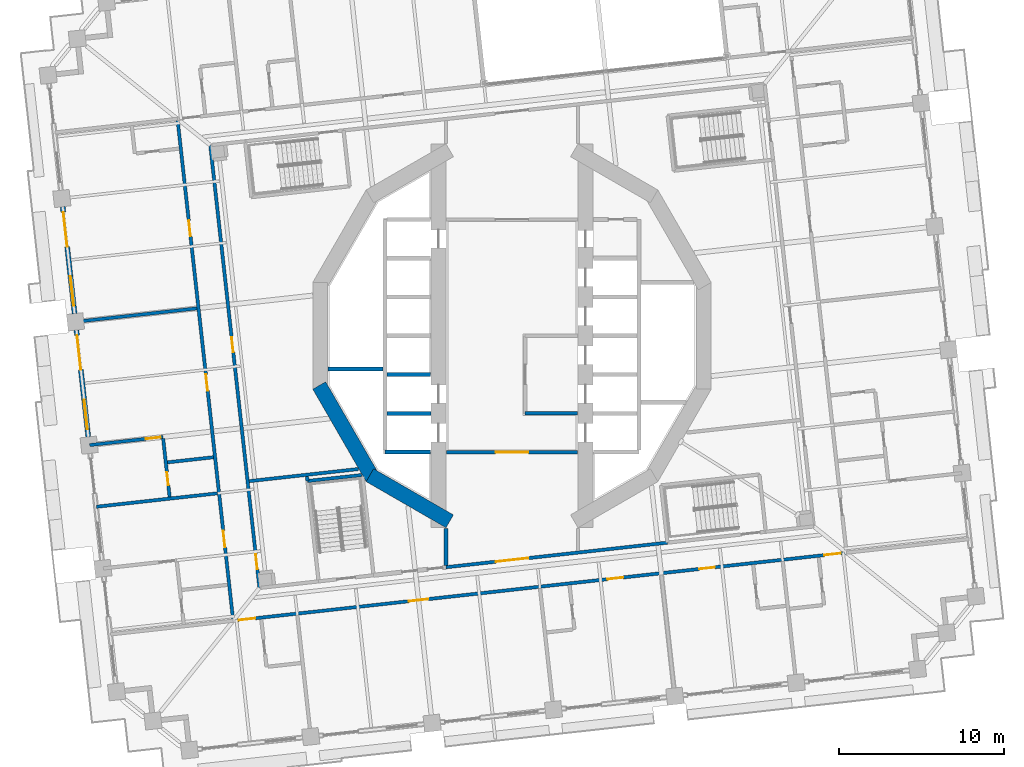
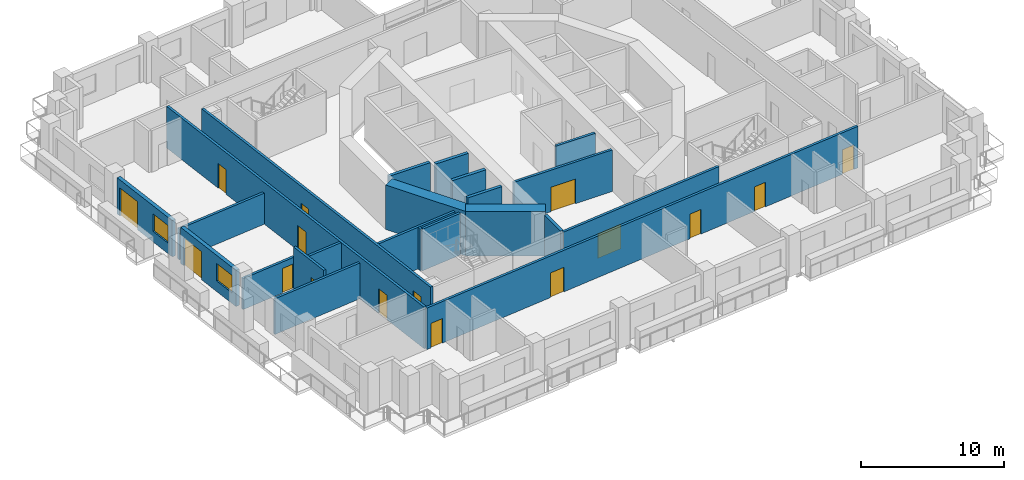
# One storey, part 8 of 20: 23 walls, 16 doors, 2 windows, 18 openings.
"""IFC4 building model written with IfcOpenShell, lengths in metres."""

from ifc_helpers import new_model, si_unit, direction, frame, frame_2d, origin, place, context, subcontext, project, spatial, rectangle, extrude, material, layer, layer_set, type_object, element, fill, save


model = new_model("IFC4")

# Units and contexts
model_context = context("Model", 3, precision=1e-05, world=origin(), true_north=direction((0.0, 1.0)))
body_context = subcontext(model_context, "Body", "Model", "MODEL_VIEW")
ifc_project = project(units=[si_unit("LENGTHUNIT", "METRE"), si_unit("AREAUNIT", "SQUARE_METRE"), si_unit("VOLUMEUNIT", "CUBIC_METRE"), si_unit("PLANEANGLEUNIT", "RADIAN"), si_unit("MASSUNIT", "GRAM", prefix="KILO")], contexts=[model_context])

# Site, building, storey
site_placement = place(None, origin())
site = spatial("IfcSite", under=ifc_project, at=site_placement, CompositionType="ELEMENT")
building_placement = place(site_placement, origin())
building = spatial("IfcBuilding", under=site, at=building_placement, Name="Cantera Rosa Tower", CompositionType="ELEMENT")
storey_placement = place(building_placement, frame((0.0, 0.0, 50.10009765625)))
storey = spatial("IfcBuildingStorey", under=building, at=storey_placement, Name="L09", CompositionType="ELEMENT", Elevation=50.10009765625)

# Wall, openings, doors
ifc_material_1 = material(Name="Gypsum board partition")
ifc_layer_1 = layer(ifc_material_1, 0.199951171875)
ifc_layer_set_1 = layer_set([ifc_layer_1], Name="CORRIDOR WALL 200 H3550")
wall_type_1 = type_object("IfcWallType", Name="CORRIDOR WALL 200 H3550", PredefinedType="PARTITIONING", material=ifc_layer_set_1)
wall_1_placement = place(storey_placement, frame((-20.2626953125, 13.04443359375, 0.0), z_axis=(0.0, 0.0, 1.0), x_axis=(0.110312530755, -0.993896949164, 0.0)))
wall_1 = element("IfcWall", 1, at=wall_1_placement, inside=storey, type_object=wall_type_1, Name="CORRIDOR WALL L09-009", PredefinedType="PARTITIONING", context=body_context, shape_type="SweptSolid", body=[
    extrude(rectangle(XDim=30.400146484375, YDim=0.199951171875, at=frame_2d((15.2001953125, 0.0))), origin(), (0.0, 0.0, 1.0), 3.5498046875),
])
opening_1_placement = place(wall_1_placement, frame((25.010009765625, 0.0, 0.0)))
opening_1 = element("IfcOpeningElement", 2, at=opening_1_placement, cuts=wall_1, Name="Opening L09-032", PredefinedType="OPENING", context=body_context, shape_type="SweptSolid", body=[
    extrude(rectangle(XDim=1.0, YDim=2.10009765625, at=frame_2d((0.5, 1.050048828125))), frame((0.0, 0.10986328125, 0.0), z_axis=(0.0, -1.0, 0.0), x_axis=(1.0, 0.0, 0.0)), (0.0, 0.0, 1.0), 0.219970703125),
])
opening_2_placement = place(wall_1_placement, frame((6.094970703125, 0.0, 0.0)))
opening_2 = element("IfcOpeningElement", 3, at=opening_2_placement, cuts=wall_1, Name="Opening L09-035", PredefinedType="OPENING", context=body_context, shape_type="SweptSolid", body=[
    extrude(rectangle(XDim=0.949951171875, YDim=2.10009765625, at=frame_2d((0.47509765625, 1.050048828125))), frame((0.0, 0.10986328125, 0.0), z_axis=(0.0, -1.0, 0.0), x_axis=(1.0, 0.0, 0.0)), (0.0, 0.0, 1.0), 0.219970703125),
])
opening_3_placement = place(wall_1_placement, frame((15.47998046875, 0.0, 0.0)))
opening_3 = element("IfcOpeningElement", 4, at=opening_3_placement, cuts=wall_1, Name="Opening L09-037", PredefinedType="OPENING", context=body_context, shape_type="SweptSolid", body=[
    extrude(rectangle(XDim=1.0, YDim=2.10009765625, at=frame_2d((0.5, 1.050048828125))), frame((0.0, 0.10986328125, 0.0), z_axis=(0.0, -1.0, 0.0), x_axis=(1.0, 0.0, 0.0)), (0.0, 0.0, 1.0), 0.219970703125),
])
ifc_material_2 = material(Name="Timber door leaf", Category="wood")
door_type_1 = type_object("IfcDoorType", Name="ENTRANCE DOOR 1000x2100", OperationType="NOTDEFINED", PredefinedType="DOOR", material=ifc_material_2)
door_1_placement = place(opening_1_placement, origin())
door_1 = element("IfcDoor", 5, at=door_1_placement, inside=storey, type_object=door_type_1, Name="DOOR L09-032", OperationType="NOTDEFINED", OverallHeight=2.10009765625, OverallWidth=1.0, PredefinedType="DOOR", context=body_context, shape_type="SweptSolid", body=[
    extrude(rectangle(XDim=1.0, YDim=2.10009765625, at=frame_2d((0.5, 1.050048828125))), frame((0.0, 0.02490234375, 0.0), z_axis=(0.0, -1.0, 0.0), x_axis=(1.0, 0.0, 0.0)), (0.0, 0.0, 1.0), 0.050048828125),
])
fill(opening_1, door_1)
door_2_placement = place(opening_3_placement, origin())
door_2 = element("IfcDoor", 6, at=door_2_placement, inside=storey, type_object=door_type_1, Name="DOOR L09-037", OperationType="NOTDEFINED", OverallHeight=2.10009765625, OverallWidth=1.0, PredefinedType="DOOR", context=body_context, shape_type="SweptSolid", body=[
    extrude(rectangle(XDim=1.0, YDim=2.10009765625, at=frame_2d((0.5, 1.050048828125))), frame((0.0, 0.02490234375, 0.0), z_axis=(0.0, -1.0, 0.0), x_axis=(1.0, 0.0, 0.0)), (0.0, 0.0, 1.0), 0.050048828125),
])
fill(opening_3, door_2)
ifc_material_3 = material(Name="Timber door leaf", Category="wood")
door_type_2 = type_object("IfcDoorType", Name="ROOM DOOR 950x2100", OperationType="NOTDEFINED", PredefinedType="DOOR", material=ifc_material_3)
door_3_placement = place(opening_2_placement, origin())
door_3 = element("IfcDoor", 7, at=door_3_placement, inside=storey, type_object=door_type_2, Name="DOOR L09-035", OperationType="NOTDEFINED", OverallHeight=2.10009765625, OverallWidth=0.949951171875, PredefinedType="DOOR", context=body_context, shape_type="SweptSolid", body=[
    extrude(rectangle(XDim=0.949951171875, YDim=2.10009765625, at=frame_2d((0.47509765625, 1.050048828125))), frame((0.0, 0.02490234375, 0.0), z_axis=(0.0, -1.0, 0.0), x_axis=(1.0, 0.0, 0.0)), (0.0, 0.0, 1.0), 0.050048828125),
])
fill(opening_2, door_3)

wall_2_placement = place(storey_placement, frame((-18.2861328125, 11.55322265625, 0.0), z_axis=(0.0, 0.0, 1.0), x_axis=(0.110315409641, -0.993896629633, 0.0)))
wall_2 = element("IfcWall", 8, at=wall_2_placement, inside=storey, type_object=wall_type_1, Name="CORRIDOR WALL L09-015", PredefinedType="PARTITIONING", context=body_context, shape_type="SweptSolid", body=[
    extrude(rectangle(XDim=27.0, YDim=0.199951171875, at=frame_2d((13.5, 0.0))), origin(), (0.0, 0.0, 1.0), 3.5498046875),
])
opening_4_placement = place(wall_2_placement, frame((11.719970703125, 0.0, 0.0)))
opening_4 = element("IfcOpeningElement", 9, at=opening_4_placement, cuts=wall_2, Name="Opening L09-006", PredefinedType="OPENING", context=body_context, shape_type="SweptSolid", body=[
    extrude(rectangle(XDim=0.89990234375, YDim=2.10009765625, at=frame_2d((0.449951171875, 1.050048828125))), frame((0.0, 0.10986328125, 0.0), z_axis=(0.0, -1.0, 0.0), x_axis=(1.0, 0.0, 0.0)), (0.0, 0.0, 1.0), 0.219970703125),
])
opening_5_placement = place(wall_2_placement, frame((24.949951171875, 0.0, 0.0)))
opening_5 = element("IfcOpeningElement", 10, at=opening_5_placement, cuts=wall_2, Name="Opening L09-007", PredefinedType="OPENING", context=body_context, shape_type="SweptSolid", body=[
    extrude(rectangle(XDim=0.89990234375, YDim=2.10009765625, at=frame_2d((0.449951171875, 1.050048828125))), frame((0.0, 0.10986328125, 0.0), z_axis=(0.0, -1.0, 0.0), x_axis=(1.0, 0.0, 0.0)), (0.0, 0.0, 1.0), 0.219970703125),
])
ifc_material_4 = material(Name="Timber door leaf", Category="wood")
door_type_3 = type_object("IfcDoorType", Name="SERVICE DOOR 900x2100", OperationType="NOTDEFINED", PredefinedType="DOOR", material=ifc_material_4)
door_4_placement = place(opening_4_placement, origin())
door_4 = element("IfcDoor", 11, at=door_4_placement, inside=storey, type_object=door_type_3, Name="DOOR L09-006", OperationType="NOTDEFINED", OverallHeight=2.10009765625, OverallWidth=0.89990234375, PredefinedType="DOOR", context=body_context, shape_type="SweptSolid", body=[
    extrude(rectangle(XDim=0.89990234375, YDim=2.10009765625, at=frame_2d((0.449951171875, 1.050048828125))), frame((0.0, 0.02490234375, 0.0), z_axis=(0.0, -1.0, 0.0), x_axis=(1.0, 0.0, 0.0)), (0.0, 0.0, 1.0), 0.050048828125),
])
fill(opening_4, door_4)
door_5_placement = place(opening_5_placement, origin())
door_5 = element("IfcDoor", 12, at=door_5_placement, inside=storey, type_object=door_type_3, Name="DOOR L09-007", OperationType="NOTDEFINED", OverallHeight=2.10009765625, OverallWidth=0.89990234375, PredefinedType="DOOR", context=body_context, shape_type="SweptSolid", body=[
    extrude(rectangle(XDim=0.89990234375, YDim=2.10009765625, at=frame_2d((0.449951171875, 1.050048828125))), frame((0.0, 0.02490234375, 0.0), z_axis=(0.0, -1.0, 0.0), x_axis=(1.0, 0.0, 0.0)), (0.0, 0.0, 1.0), 0.050048828125),
])
fill(opening_5, door_5)

wall_3_placement = place(storey_placement, frame((-16.898193359375, -17.26953125, 0.0), z_axis=(0.0, 0.0, 1.0), x_axis=(0.993896862852, 0.11031330841, 0.0)))
wall_3 = element("IfcWall", 13, at=wall_3_placement, inside=storey, type_object=wall_type_1, Name="CORRIDOR WALL L09-019", PredefinedType="PARTITIONING", context=body_context, shape_type="SweptSolid", body=[
    extrude(rectangle(XDim=37.400146484375, YDim=0.199951171875, at=frame_2d((18.7001953125, 0.0))), origin(), (0.0, 0.0, 1.0), 3.5498046875),
])
opening_6_placement = place(wall_3_placement, frame((10.699951171875, 0.0, 0.0)))
opening_6 = element("IfcOpeningElement", 14, at=opening_6_placement, cuts=wall_3, Name="Opening L09-040", PredefinedType="OPENING", context=body_context, shape_type="SweptSolid", body=[
    extrude(rectangle(XDim=1.199951171875, YDim=2.10009765625, at=frame_2d((0.60009765625, 1.050048828125))), frame((0.0, 0.10986328125, 0.0), z_axis=(0.0, -1.0, 0.0), x_axis=(1.0, 0.0, 0.0)), (0.0, 0.0, 1.0), 0.219970703125),
])
opening_7_placement = place(wall_3_placement, frame((28.425048828125, 0.0, 0.0)))
opening_7 = element("IfcOpeningElement", 15, at=opening_7_placement, cuts=wall_3, Name="Opening L09-041", PredefinedType="OPENING", context=body_context, shape_type="SweptSolid", body=[
    extrude(rectangle(XDim=0.949951171875, YDim=2.10009765625, at=frame_2d((0.47509765625, 1.050048828125))), frame((0.0, 0.10986328125, 0.0), z_axis=(0.0, -1.0, 0.0), x_axis=(1.0, 0.0, 0.0)), (0.0, 0.0, 1.0), 0.219970703125),
])
opening_8_placement = place(wall_3_placement, frame((22.824951171875, 0.0, 0.0)))
opening_8 = element("IfcOpeningElement", 16, at=opening_8_placement, cuts=wall_3, Name="Opening L09-043", PredefinedType="OPENING", context=body_context, shape_type="SweptSolid", body=[
    extrude(rectangle(XDim=0.949951171875, YDim=2.10009765625, at=frame_2d((0.47509765625, 1.050048828125))), frame((0.0, 0.10986328125, 0.0), z_axis=(0.0, -1.0, 0.0), x_axis=(1.0, 0.0, 0.0)), (0.0, 0.0, 1.0), 0.219970703125),
])
opening_9_placement = place(wall_3_placement, frame((0.35009765625, 0.0, 0.0)))
opening_9 = element("IfcOpeningElement", 17, at=opening_9_placement, cuts=wall_3, Name="Opening L09-045", PredefinedType="OPENING", context=body_context, shape_type="SweptSolid", body=[
    extrude(rectangle(XDim=1.0, YDim=2.10009765625, at=frame_2d((0.5, 1.050048828125))), frame((0.0, 0.10986328125, 0.0), z_axis=(0.0, -1.0, 0.0), x_axis=(1.0, 0.0, 0.0)), (0.0, 0.0, 1.0), 0.219970703125),
])
opening_10_placement = place(wall_3_placement, frame((36.050048828125, 0.0, 0.0)))
opening_10 = element("IfcOpeningElement", 18, at=opening_10_placement, cuts=wall_3, Name="Opening L09-047", PredefinedType="OPENING", context=body_context, shape_type="SweptSolid", body=[
    extrude(rectangle(XDim=1.0, YDim=2.10009765625, at=frame_2d((0.5, 1.050048828125))), frame((0.0, 0.10986328125, 0.0), z_axis=(0.0, -1.0, 0.0), x_axis=(1.0, 0.0, 0.0)), (0.0, 0.0, 1.0), 0.219970703125),
])
door_6_placement = place(opening_9_placement, origin())
door_6 = element("IfcDoor", 19, at=door_6_placement, inside=storey, type_object=door_type_1, Name="DOOR L09-045", OperationType="NOTDEFINED", OverallHeight=2.10009765625, OverallWidth=1.0, PredefinedType="DOOR", context=body_context, shape_type="SweptSolid", body=[
    extrude(rectangle(XDim=1.0, YDim=2.10009765625, at=frame_2d((0.5, 1.050048828125))), frame((0.0, 0.02490234375, 0.0), z_axis=(0.0, -1.0, 0.0), x_axis=(1.0, 0.0, 0.0)), (0.0, 0.0, 1.0), 0.050048828125),
])
fill(opening_9, door_6)
door_7_placement = place(opening_10_placement, origin())
door_7 = element("IfcDoor", 20, at=door_7_placement, inside=storey, type_object=door_type_1, Name="DOOR L09-047", OperationType="NOTDEFINED", OverallHeight=2.10009765625, OverallWidth=1.0, PredefinedType="DOOR", context=body_context, shape_type="SweptSolid", body=[
    extrude(rectangle(XDim=1.0, YDim=2.10009765625, at=frame_2d((0.5, 1.050048828125))), frame((0.0, 0.02490234375, 0.0), z_axis=(0.0, -1.0, 0.0), x_axis=(1.0, 0.0, 0.0)), (0.0, 0.0, 1.0), 0.050048828125),
])
fill(opening_10, door_7)
ifc_material_5 = material(Name="Timber door leaf", Category="wood")
door_type_4 = type_object("IfcDoorType", Name="ROOM DOOR 1200x2100", OperationType="NOTDEFINED", PredefinedType="DOOR", material=ifc_material_5)
door_8_placement = place(opening_6_placement, origin())
door_8 = element("IfcDoor", 21, at=door_8_placement, inside=storey, type_object=door_type_4, Name="DOOR L09-040", OperationType="NOTDEFINED", OverallHeight=2.10009765625, OverallWidth=1.199951171875, PredefinedType="DOOR", context=body_context, shape_type="SweptSolid", body=[
    extrude(rectangle(XDim=1.199951171875, YDim=2.10009765625, at=frame_2d((0.60009765625, 1.050048828125))), frame((0.0, 0.02490234375, 0.0), z_axis=(0.0, -1.0, 0.0), x_axis=(1.0, 0.0, 0.0)), (0.0, 0.0, 1.0), 0.050048828125),
])
fill(opening_6, door_8)
door_9_placement = place(opening_7_placement, origin())
door_9 = element("IfcDoor", 22, at=door_9_placement, inside=storey, type_object=door_type_2, Name="DOOR L09-041", OperationType="NOTDEFINED", OverallHeight=2.10009765625, OverallWidth=0.949951171875, PredefinedType="DOOR", context=body_context, shape_type="SweptSolid", body=[
    extrude(rectangle(XDim=0.949951171875, YDim=2.10009765625, at=frame_2d((0.47509765625, 1.050048828125))), frame((0.0, 0.02490234375, 0.0), z_axis=(0.0, -1.0, 0.0), x_axis=(1.0, 0.0, 0.0)), (0.0, 0.0, 1.0), 0.050048828125),
])
fill(opening_7, door_9)
door_10_placement = place(opening_8_placement, origin())
door_10 = element("IfcDoor", 23, at=door_10_placement, inside=storey, type_object=door_type_2, Name="DOOR L09-043", OperationType="NOTDEFINED", OverallHeight=2.10009765625, OverallWidth=0.949951171875, PredefinedType="DOOR", context=body_context, shape_type="SweptSolid", body=[
    extrude(rectangle(XDim=0.949951171875, YDim=2.10009765625, at=frame_2d((0.47509765625, 1.050048828125))), frame((0.0, 0.02490234375, 0.0), z_axis=(0.0, -1.0, 0.0), x_axis=(1.0, 0.0, 0.0)), (0.0, 0.0, 1.0), 0.050048828125),
])
fill(opening_8, door_10)

# Wall, opening, door
wall_4_placement = place(storey_placement, frame((-4.0, -14.02685546875, 0.0), z_axis=(0.0, 0.0, 1.0), x_axis=(0.993897619869, 0.110306487659, 0.0)))
wall_4 = element("IfcWall", 24, at=wall_4_placement, inside=storey, type_object=wall_type_1, Name="CORRIDOR WALL L09-051", PredefinedType="PARTITIONING", context=body_context, shape_type="SweptSolid", body=[
    extrude(rectangle(XDim=13.5009765625, YDim=0.199951171875, at=frame_2d((6.75048828125, 0.0))), origin(), (0.0, 0.0, 1.0), 3.5498046875),
])
opening_11_placement = place(wall_4_placement, frame((3.024658203125, 0.0, 0.0)))
opening_11 = element("IfcOpeningElement", 25, at=opening_11_placement, cuts=wall_4, Name="Opening L09-012", PredefinedType="OPENING", context=body_context, shape_type="SweptSolid", body=[
    extrude(rectangle(XDim=2.0, YDim=2.10009765625, at=frame_2d((1.0, 1.050048828125))), frame((0.0, 0.10986328125, 0.0), z_axis=(0.0, -1.0, 0.0), x_axis=(1.0, 0.0, 0.0)), (0.0, 0.0, 1.0), 0.219970703125),
])
ifc_material_6 = material(Name="Steel S355J2 (EN 10025-2)", Category="steel")
door_type_5 = type_object("IfcDoorType", Name="LOBBY SCREEN DOOR 2000x2100", OperationType="NOTDEFINED", PredefinedType="DOOR", material=ifc_material_6)
door_11_placement = place(opening_11_placement, origin())
door_11 = element("IfcDoor", 26, at=door_11_placement, inside=storey, type_object=door_type_5, Name="DOOR L09-012", OperationType="NOTDEFINED", OverallHeight=2.10009765625, OverallWidth=2.0, PredefinedType="DOOR", context=body_context, shape_type="SweptSolid", body=[
    extrude(rectangle(XDim=2.0, YDim=2.10009765625, at=frame_2d((1.0, 1.050048828125))), frame((0.0, 0.02490234375, 0.0), z_axis=(0.0, -1.0, 0.0), x_axis=(1.0, 0.0, 0.0)), (0.0, 0.0, 1.0), 0.050048828125),
])
fill(opening_11, door_11)

wall_5_placement = place(storey_placement, frame((3.969970703125, -7.050048828125, 0.0), z_axis=(0.0, 0.0, 1.0), x_axis=(-1.0, 0.0, 0.0)))
wall_5 = element("IfcWall", 27, at=wall_5_placement, inside=storey, type_object=wall_type_1, Name="CORRIDOR WALL L09-061", PredefinedType="PARTITIONING", context=body_context, shape_type="SweptSolid", body=[
    extrude(rectangle(XDim=7.93994140625, YDim=0.199951171875, at=frame_2d((3.969970703125, 0.0))), origin(), (0.0, 0.0, 1.0), 3.5498046875),
])
opening_12_placement = place(wall_5_placement, frame((2.969970703125, 0.0, 0.0)))
opening_12 = element("IfcOpeningElement", 28, at=opening_12_placement, cuts=wall_5, Name="Opening L09-013", PredefinedType="OPENING", context=body_context, shape_type="SweptSolid", body=[
    extrude(rectangle(XDim=2.0, YDim=2.10009765625, at=frame_2d((1.0, 1.050048828125))), frame((0.0, 0.10986328125, 0.0), z_axis=(0.0, -1.0, 0.0), x_axis=(1.0, 0.0, 0.0)), (0.0, 0.0, 1.0), 0.219970703125),
])
door_12_placement = place(opening_12_placement, origin())
door_12 = element("IfcDoor", 29, at=door_12_placement, inside=storey, type_object=door_type_5, Name="DOOR L09-013", OperationType="NOTDEFINED", OverallHeight=2.10009765625, OverallWidth=2.0, PredefinedType="DOOR", context=body_context, shape_type="SweptSolid", body=[
    extrude(rectangle(XDim=2.0, YDim=2.10009765625, at=frame_2d((1.0, 1.050048828125))), frame((0.0, 0.02490234375, 0.0), z_axis=(0.0, -1.0, 0.0), x_axis=(1.0, 0.0, 0.0)), (0.0, 0.0, 1.0), 0.050048828125),
])
fill(opening_12, door_12)

# Wall, openings, window, door
ifc_material_7 = material(Name="Hollow clay masonry with cantera stone cladding", Category="masonry")
ifc_layer_2 = layer(ifc_material_7, 0.300048828125)
ifc_layer_set_2 = layer_set([ifc_layer_2], Name="EW-LOGGIA 300 H3090")
wall_type_2 = type_object("IfcWallType", Name="EW-LOGGIA 300 H3090", PredefinedType="SOLIDWALL", material=ifc_layer_set_2)
wall_6_placement = place(storey_placement, frame((-27.229248046875, 7.823974609375, 0.0), z_axis=(0.0, 0.0, 1.0), x_axis=(0.110312341265, -0.993896970196, 0.0)))
wall_6 = element("IfcWall", 30, at=wall_6_placement, inside=storey, type_object=wall_type_2, Name="EN-L09-W17", PredefinedType="SOLIDWALL", context=body_context, shape_type="SweptSolid", body=[
    extrude(rectangle(XDim=6.52001953125, YDim=0.300048828125, at=frame_2d((3.260009765625, 0.0))), origin(), (0.0, 0.0, 1.0), 3.08984375),
])
opening_13_placement = place(wall_6_placement, frame((0.330078125, 0.0, 0.0)))
opening_13 = element("IfcOpeningElement", 31, at=opening_13_placement, cuts=wall_6, Name="Opening L09-TD21", PredefinedType="OPENING", context=body_context, shape_type="SweptSolid", body=[
    extrude(rectangle(XDim=2.10009765625, YDim=2.39990234375, at=frame_2d((1.050048828125, 1.199951171875))), frame((0.0, 0.159912109375, 0.0), z_axis=(0.0, -1.0, 0.0), x_axis=(1.0, 0.0, 0.0)), (0.0, 0.0, 1.0), 0.320068359375),
])
opening_14_placement = place(wall_6_placement, frame((4.239990234375, 0.0, 0.89990234375)))
opening_14 = element("IfcOpeningElement", 32, at=opening_14_placement, cuts=wall_6, Name="Opening L09-W22", PredefinedType="OPENING", context=body_context, shape_type="SweptSolid", body=[
    extrude(rectangle(XDim=1.800048828125, YDim=1.5, at=frame_2d((0.89990234375, 0.75))), frame((0.0, 0.159912109375, 0.0), z_axis=(0.0, -1.0, 0.0), x_axis=(1.0, 0.0, 0.0)), (0.0, 0.0, 1.0), 0.320068359375),
])
ifc_material_8 = material(Name="Aluminium frame with clear glass", Category="aluminium")
window_type = type_object("IfcWindowType", Name="Hotel room window 1800x1500", PartitioningType="DOUBLE_PANEL_VERTICAL", PredefinedType="WINDOW", material=ifc_material_8)
window_1_placement = place(opening_14_placement, origin())
window_1 = element("IfcWindow", 33, at=window_1_placement, inside=storey, type_object=window_type, Name="WINDOW L09-W22", OverallHeight=1.5, OverallWidth=1.800048828125, PartitioningType="SINGLE_PANEL", PredefinedType="WINDOW", context=body_context, shape_type="SweptSolid", body=[
    extrude(rectangle(XDim=1.800048828125, YDim=1.5, at=frame_2d((0.89990234375, 0.75))), frame((0.0, 0.030029296875, 0.0), z_axis=(0.0, -1.0, 0.0), x_axis=(1.0, 0.0, 0.0)), (0.0, 0.0, 1.0), 0.06005859375),
])
fill(opening_14, window_1)
ifc_material_9 = material(Name="Aluminium frame with clear glass", Category="aluminium")
door_type_6 = type_object("IfcDoorType", Name="TD-H 2100x2400", OperationType="NOTDEFINED", PredefinedType="DOOR", material=ifc_material_9)
door_13_placement = place(opening_13_placement, origin())
door_13 = element("IfcDoor", 34, at=door_13_placement, inside=storey, type_object=door_type_6, Name="LOGGIA DOOR L09-TD21", OperationType="SLIDING_TO_LEFT", OverallHeight=2.39990234375, OverallWidth=2.10009765625, PredefinedType="DOOR", context=body_context, shape_type="SweptSolid", body=[
    extrude(rectangle(XDim=2.10009765625, YDim=2.39990234375, at=frame_2d((1.050048828125, 1.199951171875))), frame((0.0, 0.02490234375, 0.0), z_axis=(0.0, -1.0, 0.0), x_axis=(1.0, 0.0, 0.0)), (0.0, 0.0, 1.0), 0.050048828125),
])
fill(opening_13, door_13)

wall_7_placement = place(storey_placement, frame((-26.399658203125, 0.349853515625, 0.0), z_axis=(0.0, 0.0, 1.0), x_axis=(0.110312341265, -0.993896970196, 0.0)))
wall_7 = element("IfcWall", 35, at=wall_7_placement, inside=storey, type_object=wall_type_2, Name="EN-L09-W18", PredefinedType="SOLIDWALL", context=body_context, shape_type="SweptSolid", body=[
    extrude(rectangle(XDim=6.52001953125, YDim=0.300048828125, at=frame_2d((3.260009765625, 0.0))), origin(), (0.0, 0.0, 1.0), 3.08984375),
])
opening_15_placement = place(wall_7_placement, frame((0.330078125, 0.0, 0.0)))
opening_15 = element("IfcOpeningElement", 36, at=opening_15_placement, cuts=wall_7, Name="Opening L09-TD23", PredefinedType="OPENING", context=body_context, shape_type="SweptSolid", body=[
    extrude(rectangle(XDim=2.10009765625, YDim=2.39990234375, at=frame_2d((1.050048828125, 1.199951171875))), frame((0.0, 0.159912109375, 0.0), z_axis=(0.0, -1.0, 0.0), x_axis=(1.0, 0.0, 0.0)), (0.0, 0.0, 1.0), 0.320068359375),
])
opening_16_placement = place(wall_7_placement, frame((4.239990234375, 0.0, 0.89990234375)))
opening_16 = element("IfcOpeningElement", 37, at=opening_16_placement, cuts=wall_7, Name="Opening L09-W24", PredefinedType="OPENING", context=body_context, shape_type="SweptSolid", body=[
    extrude(rectangle(XDim=1.800048828125, YDim=1.5, at=frame_2d((0.89990234375, 0.75))), frame((0.0, 0.159912109375, 0.0), z_axis=(0.0, -1.0, 0.0), x_axis=(1.0, 0.0, 0.0)), (0.0, 0.0, 1.0), 0.320068359375),
])
window_2_placement = place(opening_16_placement, origin())
window_2 = element("IfcWindow", 38, at=window_2_placement, inside=storey, type_object=window_type, Name="WINDOW L09-W24", OverallHeight=1.5, OverallWidth=1.800048828125, PartitioningType="SINGLE_PANEL", PredefinedType="WINDOW", context=body_context, shape_type="SweptSolid", body=[
    extrude(rectangle(XDim=1.800048828125, YDim=1.5, at=frame_2d((0.89990234375, 0.75))), frame((0.0, 0.030029296875, 0.0), z_axis=(0.0, -1.0, 0.0), x_axis=(1.0, 0.0, 0.0)), (0.0, 0.0, 1.0), 0.06005859375),
])
fill(opening_16, window_2)
door_14_placement = place(opening_15_placement, origin())
door_14 = element("IfcDoor", 39, at=door_14_placement, inside=storey, type_object=door_type_6, Name="LOGGIA DOOR L09-TD23", OperationType="SLIDING_TO_LEFT", OverallHeight=2.39990234375, OverallWidth=2.10009765625, PredefinedType="DOOR", context=body_context, shape_type="SweptSolid", body=[
    extrude(rectangle(XDim=2.10009765625, YDim=2.39990234375, at=frame_2d((1.050048828125, 1.199951171875))), frame((0.0, 0.02490234375, 0.0), z_axis=(0.0, -1.0, 0.0), x_axis=(1.0, 0.0, 0.0)), (0.0, 0.0, 1.0), 0.050048828125),
])
fill(opening_15, door_14)

# Wall, opening, door
ifc_material_10 = material(Name="Gypsum board partition")
ifc_layer_3 = layer(ifc_material_10, 0.199951171875)
ifc_layer_set_3 = layer_set([ifc_layer_3], Name="PARTITION 200 H2650")
wall_type_3 = type_object("IfcWallType", Name="PARTITION 200 H2650", PredefinedType="PARTITIONING", material=ifc_layer_set_3)
wall_8_placement = place(storey_placement, frame((-25.595458984375, -6.623779296875, 0.0), z_axis=(0.0, 0.0, 1.0), x_axis=(0.993901040656, 0.110275660883, 0.0)))
wall_8 = element("IfcWall", 40, at=wall_8_placement, inside=storey, type_object=wall_type_3, Name="PARTITION L09-001", PredefinedType="PARTITIONING", context=body_context, shape_type="SweptSolid", body=[
    extrude(rectangle(XDim=4.469970703125, YDim=0.199951171875, at=frame_2d((2.23486328125, 0.0))), origin(), (0.0, 0.0, 1.0), 2.64990234375),
])
opening_17_placement = place(wall_8_placement, frame((3.419921875, 0.0, 0.0)))
opening_17 = element("IfcOpeningElement", 41, at=opening_17_placement, cuts=wall_8, Name="Opening L09-038", PredefinedType="OPENING", context=body_context, shape_type="SweptSolid", body=[
    extrude(rectangle(XDim=0.89990234375, YDim=2.10009765625, at=frame_2d((0.449951171875, 1.050048828125))), frame((0.0, 0.10986328125, 0.0), z_axis=(0.0, -1.0, 0.0), x_axis=(1.0, 0.0, 0.0)), (0.0, 0.0, 1.0), 0.219970703125),
])
ifc_material_11 = material(Name="Timber door leaf", Category="wood")
door_type_7 = type_object("IfcDoorType", Name="ROOM DOOR 900x2100", OperationType="NOTDEFINED", PredefinedType="DOOR", material=ifc_material_11)
door_15_placement = place(opening_17_placement, origin())
door_15 = element("IfcDoor", 42, at=door_15_placement, inside=storey, type_object=door_type_7, Name="DOOR L09-038", OperationType="NOTDEFINED", OverallHeight=2.10009765625, OverallWidth=0.89990234375, PredefinedType="DOOR", context=body_context, shape_type="SweptSolid", body=[
    extrude(rectangle(XDim=0.89990234375, YDim=2.10009765625, at=frame_2d((0.449951171875, 1.050048828125))), frame((0.0, 0.02490234375, 0.0), z_axis=(0.0, -1.0, 0.0), x_axis=(1.0, 0.0, 0.0)), (0.0, 0.0, 1.0), 0.050048828125),
])
fill(opening_17, door_15)

ifc_material_12 = material(Name="Gypsum board partition")
ifc_layer_4 = layer(ifc_material_12, 0.199951171875)
ifc_layer_set_4 = layer_set([ifc_layer_4], Name="PARTITION 200 H3550")
wall_type_4 = type_object("IfcWallType", Name="PARTITION 200 H3550", PredefinedType="PARTITIONING", material=ifc_layer_set_4)
wall_9_placement = place(storey_placement, frame((-21.141845703125, -6.230224609375, 0.0), z_axis=(0.0, 0.0, 1.0), x_axis=(0.110341204028, -0.993893766302, 0.0)))
wall_9 = element("IfcWall", 43, at=wall_9_placement, inside=storey, type_object=wall_type_4, Name="PARTITION L09-005", PredefinedType="PARTITIONING", context=body_context, shape_type="SweptSolid", body=[
    extrude(rectangle(XDim=3.56005859375, YDim=0.199951171875, at=frame_2d((1.780029296875, 0.0))), origin(), (0.0, 0.0, 1.0), 3.5498046875),
])
opening_18_placement = place(wall_9_placement, frame((2.050048828125, 0.0, 0.0)))
opening_18 = element("IfcOpeningElement", 44, at=opening_18_placement, cuts=wall_9, Name="Opening L09-039", PredefinedType="OPENING", context=body_context, shape_type="SweptSolid", body=[
    extrude(rectangle(XDim=0.800048828125, YDim=2.10009765625, at=frame_2d((0.39990234375, 1.050048828125))), frame((0.0, 0.10986328125, 0.0), z_axis=(0.0, -1.0, 0.0), x_axis=(1.0, 0.0, 0.0)), (0.0, 0.0, 1.0), 0.219970703125),
])
ifc_material_13 = material(Name="Timber door leaf", Category="wood")
door_type_8 = type_object("IfcDoorType", Name="BATHROOM DOOR 800x2100", OperationType="NOTDEFINED", PredefinedType="DOOR", material=ifc_material_13)
door_16_placement = place(opening_18_placement, origin())
door_16 = element("IfcDoor", 45, at=door_16_placement, inside=storey, type_object=door_type_8, Name="DOOR L09-039", OperationType="NOTDEFINED", OverallHeight=2.10009765625, OverallWidth=0.800048828125, PredefinedType="DOOR", context=body_context, shape_type="SweptSolid", body=[
    extrude(rectangle(XDim=0.800048828125, YDim=2.10009765625, at=frame_2d((0.39990234375, 1.050048828125))), frame((0.0, 0.02490234375, 0.0), z_axis=(0.0, -1.0, 0.0), x_axis=(1.0, 0.0, 0.0)), (0.0, 0.0, 1.0), 0.050048828125),
])
fill(opening_18, door_16)

# Walls
wall_10_placement = place(storey_placement, frame((-20.88134765625, -7.67041015625, 0.0), z_axis=(0.0, 0.0, 1.0), x_axis=(0.99388905004, 0.110383677283, 0.0)))
element("IfcWall", 46, at=wall_10_placement, inside=storey, type_object=wall_type_4, Name="PARTITION L09-006", PredefinedType="PARTITIONING", context=body_context, shape_type="SweptSolid", body=[
    extrude(rectangle(XDim=2.800048828125, YDim=0.199951171875, at=frame_2d((1.39990234375, 0.0))), origin(), (0.0, 0.0, 1.0), 3.5498046875),
])
wall_11_placement = place(storey_placement, frame((-12.4267578125, -8.522705078125, 0.0), z_axis=(0.0, 0.0, 1.0), x_axis=(0.109956380259, -0.993936413681, 0.0)))
element("IfcWall", 47, at=wall_11_placement, inside=storey, type_object=wall_type_4, Name="PARTITION L09-032", PredefinedType="PARTITIONING", context=body_context, shape_type="SweptSolid", body=[
    extrude(rectangle(XDim=0.281982421875, YDim=0.199951171875, at=frame_2d((0.14111328125, 0.0))), origin(), (0.0, 0.0, 1.0), 3.5498046875),
])
wall_12_placement = place(storey_placement, frame((-9.3134765625, -8.07666015625, 0.0), z_axis=(0.0, 0.0, 1.0), x_axis=(-0.993896259816, -0.110318741489, 0.0)))
element("IfcWall", 48, at=wall_12_placement, inside=storey, type_object=wall_type_4, Name="PARTITION L09-040", PredefinedType="PARTITIONING", context=body_context, shape_type="SweptSolid", body=[
    extrude(rectangle(XDim=6.65234375, YDim=0.199951171875, at=frame_2d((3.326171875, 0.0))), origin(), (0.0, 0.0, 1.0), 3.5498046875),
])
ifc_material_14 = material(Name="Gypsum board partition")
ifc_layer_5 = layer(ifc_material_14, 0.199951171875)
ifc_layer_set_5 = layer_set([ifc_layer_5], Name="PARTY WALL 200 H2650")
wall_type_5 = type_object("IfcWallType", Name="PARTY WALL 200 H2650", PredefinedType="PARTITIONING", material=ifc_layer_set_5)
wall_13_placement = place(storey_placement, frame((-19.10009765625, 1.6630859375, 0.0), z_axis=(0.0, 0.0, 1.0), x_axis=(-0.993897058864, -0.11031154238, 0.0)))
element("IfcWall", 49, at=wall_13_placement, inside=storey, type_object=wall_type_5, Name="PARTY WALL L09-012", PredefinedType="PARTITIONING", context=body_context, shape_type="SweptSolid", body=[
    extrude(rectangle(XDim=7.369873046875, YDim=0.199951171875, at=frame_2d((3.68505859375, 0.0))), origin(), (0.0, 0.0, 1.0), 2.64990234375),
])
ifc_material_15 = material(Name="Gypsum board partition")
ifc_layer_6 = layer(ifc_material_15, 0.199951171875)
ifc_layer_set_6 = layer_set([ifc_layer_6], Name="PARTY WALL 200 H3050")
wall_type_6 = type_object("IfcWallType", Name="PARTY WALL 200 H3050", PredefinedType="PARTITIONING", material=ifc_layer_set_6)
wall_14_placement = place(storey_placement, frame((-17.855712890625, -9.548095703125, 0.0), z_axis=(0.0, 0.0, 1.0), x_axis=(-0.993897058864, -0.11031154238, 0.0)))
element("IfcWall", 50, at=wall_14_placement, inside=storey, type_object=wall_type_6, Name="PARTY WALL L09-017", PredefinedType="PARTITIONING", context=body_context, shape_type="SweptSolid", body=[
    extrude(rectangle(XDim=7.369873046875, YDim=0.199951171875, at=frame_2d((3.68505859375, 0.0))), origin(), (0.0, 0.0, 1.0), 3.0498046875),
])
ifc_material_16 = material(Name="Concrete C70/85", Category="concrete")
ifc_layer_7 = layer(ifc_material_16, 0.89990234375)
ifc_layer_set_7 = layer_set([ifc_layer_7], Name="RC CORE WALL 900 C70/85")
wall_type_7 = type_object("IfcWallType", Name="RC CORE WALL 900 C70/85", PredefinedType="SHEAR", material=ifc_layer_set_7)
wall_15_placement = place(storey_placement, frame((-3.77490234375, -11.242919921875, 0.0), z_axis=(0.0, 0.0, 1.0), x_axis=(-0.866026961591, 0.49999730179, 0.0)))
element("IfcWall", 51, at=wall_15_placement, inside=storey, type_object=wall_type_7, Name="CW-W1 L09", PredefinedType="SHEAR", context=body_context, shape_type="SweptSolid", body=[
    extrude(rectangle(XDim=5.58740234375, YDim=0.89990234375, at=frame_2d((2.793701171875, 0.0))), origin(), (0.0, 0.0, 1.0), 3.7998046875),
])
wall_16_placement = place(storey_placement, frame((-8.44921875, -8.61376953125, 0.0), z_axis=(0.0, 0.0, 1.0), x_axis=(-0.499990282633, 0.866031014036, 0.0)))
element("IfcWall", 52, at=wall_16_placement, inside=storey, type_object=wall_type_7, Name="CW-W2 L09", PredefinedType="SHEAR", context=body_context, shape_type="SweptSolid", body=[
    extrude(rectangle(XDim=6.470458984375, YDim=0.89990234375, at=frame_2d((3.2353515625, 0.0))), origin(), (0.0, 0.0, 1.0), 3.7998046875),
])
ifc_material_17 = material(Name="Masonry blockwork", Category="masonry")
ifc_layer_8 = layer(ifc_material_17, 0.25)
ifc_layer_set_8 = layer_set([ifc_layer_8], Name="SHAFT WALL 250 H3550")
wall_type_8 = type_object("IfcWallType", Name="SHAFT WALL 250 H3550", PredefinedType="SOLIDWALL", material=ifc_layer_set_8)
wall_17_placement = place(storey_placement, frame((-11.14404296875, -2.0146484375, 0.0), z_axis=(0.0, 0.0, 1.0), x_axis=(1.0, 0.0, 0.0)))
element("IfcWall", 53, at=wall_17_placement, inside=storey, type_object=wall_type_8, Name="SHAFT WALL L09-037", PredefinedType="SOLIDWALL", context=body_context, shape_type="SweptSolid", body=[
    extrude(rectangle(XDim=3.319091796875, YDim=0.25, at=frame_2d((1.65966796875, 0.0))), origin(), (0.0, 0.0, 1.0), 3.5498046875),
])
wall_18_placement = place(storey_placement, frame((-7.699951171875, -7.050048828125, 0.0), z_axis=(0.0, 0.0, 1.0), x_axis=(1.0, 0.0, 0.0)))
element("IfcWall", 54, at=wall_18_placement, inside=storey, type_object=wall_type_8, Name="SHAFT WALL L09-043", PredefinedType="SOLIDWALL", context=body_context, shape_type="SweptSolid", body=[
    extrude(rectangle(XDim=2.77001953125, YDim=0.25, at=frame_2d((1.385009765625, 0.0))), origin(), (0.0, 0.0, 1.0), 3.5498046875),
])
wall_19_placement = place(storey_placement, frame((-7.574951171875, -4.699951171875, 0.0), z_axis=(0.0, 0.0, 1.0), x_axis=(1.0, 0.0, 0.0)))
element("IfcWall", 55, at=wall_19_placement, inside=storey, type_object=wall_type_8, Name="SHAFT WALL L09-044", PredefinedType="SOLIDWALL", context=body_context, shape_type="SweptSolid", body=[
    extrude(rectangle(XDim=2.675048828125, YDim=0.25, at=frame_2d((1.33740234375, 0.0))), origin(), (0.0, 0.0, 1.0), 3.5498046875),
])
wall_20_placement = place(storey_placement, frame((-7.574951171875, -2.35009765625, 0.0), z_axis=(0.0, 0.0, 1.0), x_axis=(1.0, 0.0, 0.0)))
element("IfcWall", 56, at=wall_20_placement, inside=storey, type_object=wall_type_8, Name="SHAFT WALL L09-045", PredefinedType="SOLIDWALL", context=body_context, shape_type="SweptSolid", body=[
    extrude(rectangle(XDim=2.64501953125, YDim=0.25, at=frame_2d((1.322509765625, 0.0))), origin(), (0.0, 0.0, 1.0), 3.5498046875),
])
wall_21_placement = place(storey_placement, frame((-4.0, -11.667236328125, 0.0), z_axis=(0.0, 0.0, 1.0), x_axis=(0.0, -1.0, 0.0)))
element("IfcWall", 57, at=wall_21_placement, inside=storey, type_object=wall_type_8, Name="SHAFT WALL L09-052", PredefinedType="SOLIDWALL", context=body_context, shape_type="SweptSolid", body=[
    extrude(rectangle(XDim=2.23974609375, YDim=0.25, at=frame_2d((1.119873046875, 0.0))), origin(), (0.0, 0.0, 1.0), 3.5498046875),
])
ifc_material_18 = material(Name="Concrete C50/60", Category="concrete")
ifc_layer_9 = layer(ifc_material_18, 0.199951171875)
ifc_layer_set_9 = layer_set([ifc_layer_9], Name="STAIR WALL 200 H3550")
wall_type_9 = type_object("IfcWallType", Name="STAIR WALL 200 H3550", PredefinedType="SOLIDWALL", material=ifc_layer_set_9)
wall_22_placement = place(storey_placement, frame((-12.395751953125, -8.802978515625, 0.0), z_axis=(0.0, 0.0, 1.0), x_axis=(0.993897215684, 0.110310129436, 0.0)))
element("IfcWall", 58, at=wall_22_placement, inside=storey, type_object=wall_type_9, Name="STAIR WALL L09-034", PredefinedType="SOLIDWALL", context=body_context, shape_type="SweptSolid", body=[
    extrude(rectangle(XDim=3.31103515625, YDim=0.199951171875, at=frame_2d((1.655517578125, 0.0))), origin(), (0.0, 0.0, 1.0), 3.5498046875),
])
wall_23_placement = place(storey_placement, frame((3.969970703125, -4.699951171875, 0.0), z_axis=(0.0, 0.0, 1.0), x_axis=(-1.0, 0.0, 0.0)))
element("IfcWall", 59, at=wall_23_placement, inside=storey, type_object=wall_type_9, Name="STAIR WALL L09-062", PredefinedType="SOLIDWALL", context=body_context, shape_type="SweptSolid", body=[
    extrude(rectangle(XDim=3.169921875, YDim=0.199951171875, at=frame_2d((1.5849609375, 0.0))), origin(), (0.0, 0.0, 1.0), 3.5498046875),
])

save(model, "model.ifc")
